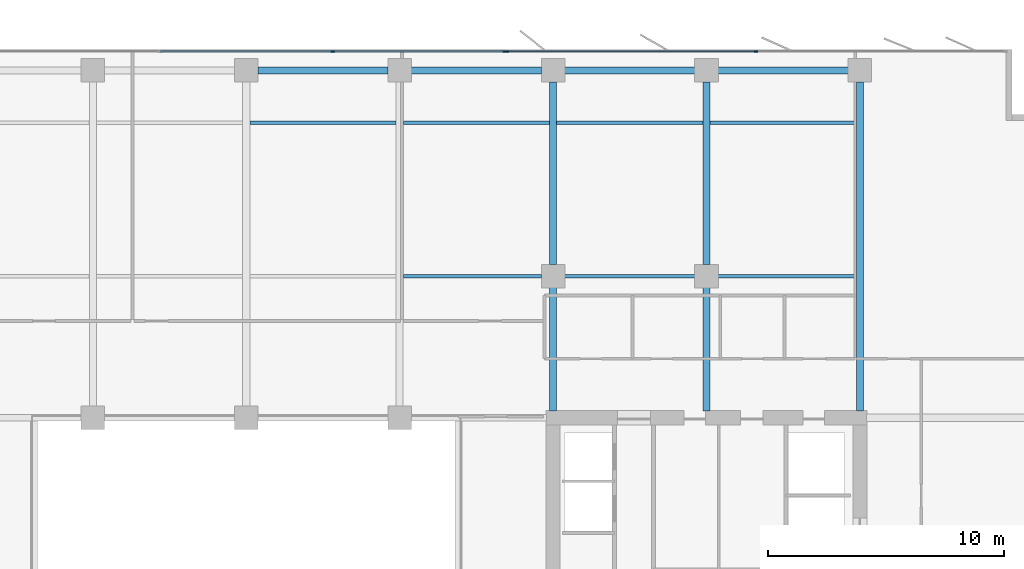
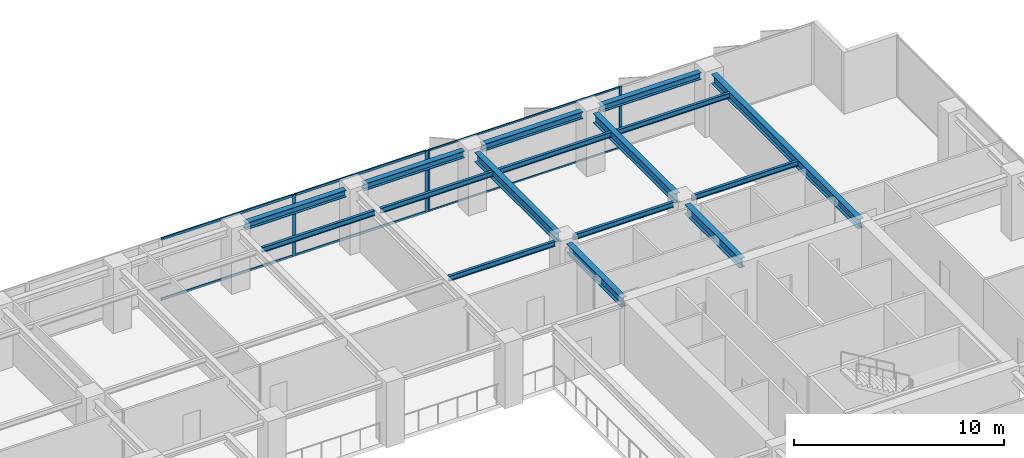
# One storey, part 10 of 22: 16 beams, 10 members, 2 elements without a shape of their own.
"""IFC4 building model written with IfcOpenShell, lengths in metres."""

from ifc_helpers import new_model, si_unit, direction, frame, origin, origin_2d, place, context, subcontext, project, spatial, rectangle, i_section, extrude, material, layer, layer_set, material_profile, profile_set, type_object, element, aggregate, save


model = new_model("IFC4")

# Units and contexts
model_context = context("Model", 3, precision=1e-05, world=origin(), true_north=direction((0.0, 1.0)))
body_context = subcontext(model_context, "Body", "Model", "MODEL_VIEW")
ifc_project = project(units=[si_unit("LENGTHUNIT", "METRE"), si_unit("AREAUNIT", "SQUARE_METRE"), si_unit("VOLUMEUNIT", "CUBIC_METRE"), si_unit("PLANEANGLEUNIT", "RADIAN"), si_unit("MASSUNIT", "GRAM", prefix="KILO")], contexts=[model_context])

# Site, building, storey
site_placement = place(None, origin())
site = spatial("IfcSite", under=ifc_project, at=site_placement, CompositionType="ELEMENT")
building_placement = place(site_placement, origin())
building = spatial("IfcBuilding", under=site, at=building_placement, Name="Putna Gate Headquarters", CompositionType="ELEMENT")
storey_placement = place(building_placement, frame((0.0, 0.0, 167.0)))
storey = spatial("IfcBuildingStorey", under=building, at=storey_placement, Name="L41", CompositionType="ELEMENT", Elevation=167.0)

# Beams
ifc_material_1 = material(Name="Steel S355J2", Category="steel")
ifc_material_profile_1 = material_profile(ifc_material_1, i_section(OverallWidth=0.300048828125, OverallDepth=0.550048828125, WebThickness=0.014892578125, FlangeThickness=0.029052734375, at=origin_2d()), Name="Steel S355J2")
ifc_profile_set_1 = profile_set([ifc_material_profile_1], Name="Steel S355J2")
beam_type_1 = type_object("IfcBeamType", Name="BM-GIRD-Z3-HEB550", PredefinedType="USERDEFINED", material=ifc_profile_set_1)
beam_1_placement = place(storey_placement, frame((52.0, 33.284912109375, 3.297119140625), z_axis=(0.0, 1.0, 0.0), x_axis=(-1.0, 0.0, 0.0)))
element("IfcBeam", 1, at=beam_1_placement, inside=storey, type_object=beam_type_1, Name="L41 North Primary Girder X52-1", ObjectType="GIRDER", PredefinedType="USERDEFINED", context=body_context, shape_type="SweptSolid", body=[
    extrude(i_section(OverallWidth=0.300048828125, OverallDepth=0.550048828125, WebThickness=0.014892578125, FlangeThickness=0.029052734375, at=origin_2d()), origin(), (0.0, 0.0, 1.0), 5.22705078125),
])
beam_2_placement = place(storey_placement, frame((52.0, 39.488037109375, 3.297119140625), z_axis=(0.0, 1.0, 0.0), x_axis=(-1.0, 0.0, 0.0)))
element("IfcBeam", 2, at=beam_2_placement, inside=storey, type_object=beam_type_1, Name="L41 North Primary Girder X52-2", ObjectType="GIRDER", PredefinedType="USERDEFINED", context=body_context, shape_type="SweptSolid", body=[
    extrude(i_section(OverallWidth=0.300048828125, OverallDepth=0.550048828125, WebThickness=0.014892578125, FlangeThickness=0.029052734375, at=origin_2d()), origin(), (0.0, 0.0, 1.0), 7.743896484375),
])
beam_3_placement = place(storey_placement, frame((58.5, 33.284912109375, 3.297119140625), z_axis=(0.0, 1.0, 0.0), x_axis=(-1.0, 0.0, 0.0)))
element("IfcBeam", 3, at=beam_3_placement, inside=storey, type_object=beam_type_1, Name="L41 North Primary Girder X58-1", ObjectType="GIRDER", PredefinedType="USERDEFINED", context=body_context, shape_type="SweptSolid", body=[
    extrude(i_section(OverallWidth=0.300048828125, OverallDepth=0.550048828125, WebThickness=0.014892578125, FlangeThickness=0.029052734375, at=origin_2d()), origin(), (0.0, 0.0, 1.0), 5.22705078125),
])
beam_4_placement = place(storey_placement, frame((58.5, 39.488037109375, 3.297119140625), z_axis=(0.0, 1.0, 0.0), x_axis=(-1.0, 0.0, 0.0)))
element("IfcBeam", 4, at=beam_4_placement, inside=storey, type_object=beam_type_1, Name="L41 North Primary Girder X58-2", ObjectType="GIRDER", PredefinedType="USERDEFINED", context=body_context, shape_type="SweptSolid", body=[
    extrude(i_section(OverallWidth=0.300048828125, OverallDepth=0.550048828125, WebThickness=0.014892578125, FlangeThickness=0.029052734375, at=origin_2d()), origin(), (0.0, 0.0, 1.0), 7.743896484375),
])
beam_5_placement = place(storey_placement, frame((65.0, 33.284912109375, 3.297119140625), z_axis=(0.0, 1.0, 0.0), x_axis=(-1.0, 0.0, 0.0)))
element("IfcBeam", 5, at=beam_5_placement, inside=storey, type_object=beam_type_1, Name="L41 North Primary Girder X65", ObjectType="GIRDER", PredefinedType="USERDEFINED", context=body_context, shape_type="SweptSolid", body=[
    extrude(i_section(OverallWidth=0.300048828125, OverallDepth=0.550048828125, WebThickness=0.014892578125, FlangeThickness=0.029052734375, at=origin_2d()), origin(), (0.0, 0.0, 1.0), 13.947021484375),
])
ifc_material_profile_2 = material_profile(ifc_material_1, i_section(OverallWidth=0.14990234375, OverallDepth=0.300048828125, WebThickness=0.007080078125, FlangeThickness=0.0107421875, at=origin_2d()), Name="Steel S355J2")
ifc_profile_set_2 = profile_set([ifc_material_profile_2], Name="Steel S355J2")
beam_type_2 = type_object("IfcBeamType", Name="BM-SEC-Z3-IPE300", PredefinedType="JOIST", material=ifc_profile_set_2)
beam_6_placement = place(storey_placement, frame((39.154052734375, 45.5, 3.422119140625), z_axis=(1.0, 0.0, 0.0), x_axis=(0.0, 1.0, 0.0)))
element("IfcBeam", 6, at=beam_6_placement, inside=storey, type_object=beam_type_2, Name="L41 North Secondary Beam 5", PredefinedType="JOIST", context=body_context, shape_type="SweptSolid", body=[
    extrude(i_section(OverallWidth=0.14990234375, OverallDepth=0.300048828125, WebThickness=0.007080078125, FlangeThickness=0.0107421875, at=origin_2d()), origin(), (0.0, 0.0, 1.0), 6.19189453125),
])
beam_7_placement = place(storey_placement, frame((45.654052734375, 39.0, 3.422119140625), z_axis=(1.0, 0.0, 0.0), x_axis=(0.0, 1.0, 0.0)))
element("IfcBeam", 7, at=beam_7_placement, inside=storey, type_object=beam_type_2, Name="L41 North Secondary Beam 6", PredefinedType="JOIST", context=body_context, shape_type="SweptSolid", body=[
    extrude(i_section(OverallWidth=0.14990234375, OverallDepth=0.300048828125, WebThickness=0.007080078125, FlangeThickness=0.0107421875, at=origin_2d()), origin(), (0.0, 0.0, 1.0), 5.85791015625),
])
beam_8_placement = place(storey_placement, frame((45.654052734375, 45.5, 3.422119140625), z_axis=(1.0, 0.0, 0.0), x_axis=(0.0, 1.0, 0.0)))
element("IfcBeam", 8, at=beam_8_placement, inside=storey, type_object=beam_type_2, Name="L41 North Secondary Beam 6", PredefinedType="JOIST", context=body_context, shape_type="SweptSolid", body=[
    extrude(i_section(OverallWidth=0.14990234375, OverallDepth=0.300048828125, WebThickness=0.007080078125, FlangeThickness=0.0107421875, at=origin_2d()), origin(), (0.0, 0.0, 1.0), 6.19189453125),
])
beam_9_placement = place(storey_placement, frame((52.488037109375, 39.0, 3.422119140625), z_axis=(1.0, 0.0, 0.0), x_axis=(0.0, 1.0, 0.0)))
element("IfcBeam", 9, at=beam_9_placement, inside=storey, type_object=beam_type_2, Name="L41 North Secondary Beam 7", PredefinedType="JOIST", context=body_context, shape_type="SweptSolid", body=[
    extrude(i_section(OverallWidth=0.14990234375, OverallDepth=0.300048828125, WebThickness=0.007080078125, FlangeThickness=0.0107421875, at=origin_2d()), origin(), (0.0, 0.0, 1.0), 5.52392578125),
])
beam_10_placement = place(storey_placement, frame((52.154052734375, 45.5, 3.422119140625), z_axis=(1.0, 0.0, 0.0), x_axis=(0.0, 1.0, 0.0)))
element("IfcBeam", 10, at=beam_10_placement, inside=storey, type_object=beam_type_2, Name="L41 North Secondary Beam 7", PredefinedType="JOIST", context=body_context, shape_type="SweptSolid", body=[
    extrude(i_section(OverallWidth=0.14990234375, OverallDepth=0.300048828125, WebThickness=0.007080078125, FlangeThickness=0.0107421875, at=origin_2d()), origin(), (0.0, 0.0, 1.0), 6.19189453125),
])
beam_11_placement = place(storey_placement, frame((58.988037109375, 39.0, 3.422119140625), z_axis=(1.0, 0.0, 0.0), x_axis=(0.0, 1.0, 0.0)))
element("IfcBeam", 11, at=beam_11_placement, inside=storey, type_object=beam_type_2, Name="L41 North Secondary Beam 8", PredefinedType="JOIST", context=body_context, shape_type="SweptSolid", body=[
    extrude(i_section(OverallWidth=0.14990234375, OverallDepth=0.300048828125, WebThickness=0.007080078125, FlangeThickness=0.0107421875, at=origin_2d()), origin(), (0.0, 0.0, 1.0), 5.85791015625),
])
beam_12_placement = place(storey_placement, frame((58.654052734375, 45.5, 3.422119140625), z_axis=(1.0, 0.0, 0.0), x_axis=(0.0, 1.0, 0.0)))
element("IfcBeam", 12, at=beam_12_placement, inside=storey, type_object=beam_type_2, Name="L41 North Secondary Beam 8", PredefinedType="JOIST", context=body_context, shape_type="SweptSolid", body=[
    extrude(i_section(OverallWidth=0.14990234375, OverallDepth=0.300048828125, WebThickness=0.007080078125, FlangeThickness=0.0107421875, at=origin_2d()), origin(), (0.0, 0.0, 1.0), 6.19189453125),
])
ifc_material_profile_3 = material_profile(ifc_material_1, i_section(OverallWidth=0.300048828125, OverallDepth=0.39990234375, WebThickness=0.013427734375, FlangeThickness=0.02392578125, at=origin_2d()), Name="Steel S355J2")
ifc_profile_set_3 = profile_set([ifc_material_profile_3], Name="Steel S355J2")
beam_type_3 = type_object("IfcBeamType", Name="BM-SPAN-Z3-HEB400", PredefinedType="SPANDREL", material=ifc_profile_set_3)
for number, where, z_axis, x_axis, name in (
    (13, (39.488037109375, 47.719970703125, 3.3720703125), (1.0, 0.0, 0.0), (0.0, 1.0, 0.0), "L41 N Perimeter Spandrel 5"),
    (14, (45.988037109375, 47.719970703125, 3.3720703125), (1.0, 0.0, 0.0), (0.0, 1.0, 0.0), "L41 N Perimeter Spandrel 6"),
    (15, (52.488037109375, 47.719970703125, 3.3720703125), (1.0, 0.0, 0.0), (0.0, 1.0, 0.0), "L41 N Perimeter Spandrel 7"),
    (16, (58.988037109375, 47.719970703125, 3.3720703125), (1.0, 0.0, 0.0), (0.0, 1.0, 0.0), "L41 N Perimeter Spandrel 8"),
):
    element("IfcBeam", number, at=place(storey_placement, frame(where, z_axis=z_axis, x_axis=x_axis)), inside=storey, type_object=beam_type_3, Name=name, PredefinedType="SPANDREL", context=body_context, shape_type="SweptSolid", body=[
        extrude(i_section(OverallWidth=0.300048828125, OverallDepth=0.39990234375, WebThickness=0.013427734375, FlangeThickness=0.02392578125, at=origin_2d()), origin(), (0.0, 0.0, 1.0), 5.52392578125),
    ])

# Curtain wall, members
ifc_material_2 = material(Name="Anodised bronze aluminium curtain wall", Category="aluminium")
ifc_layer_1 = layer(ifc_material_2, 0.159912109375)
ifc_layer_set_1 = layer_set([ifc_layer_1], Name="Anodised bronze aluminium curtain wall")
curtain_wall_type_1 = type_object("IfcCurtainWallType", Name="CW-SYS-Z3", PredefinedType="USERDEFINED", material=ifc_layer_set_1)
curtain_wall_1_placement = place(storey_placement, origin())
curtain_wall_1 = element("IfcCurtainWall", 17, at=curtain_wall_1_placement, inside=storey, type_object=curtain_wall_type_1, Name="L41 North East Curtain Wall", ObjectType="STICK CURTAIN WALL", PredefinedType="USERDEFINED")
ifc_material_3 = material(Name="Anodised bronze aluminium EN AW-6060", Category="aluminium")
ifc_material_profile_4 = material_profile(ifc_material_3, rectangle(XDim=0.06494140625, YDim=0.159912109375, at=origin_2d()), Name="Anodised bronze aluminium EN AW-6060")
ifc_profile_set_4 = profile_set([ifc_material_profile_4], Name="Anodised bronze aluminium EN AW-6060")
member_type_1 = type_object("IfcMemberType", Name="MULL-CWM-3", PredefinedType="MULLION", material=ifc_profile_set_4)
member_1_placement = place(storey_placement, frame((50.032470703125, 48.52001953125, 0.0), z_axis=(0.0, 0.0, 1.0), x_axis=(0.0, 1.0, 0.0)))
member_1 = element("IfcMember", 18, at=member_1_placement, type_object=member_type_1, Name="CWS-3 mullion 1", PredefinedType="MULLION", context=body_context, shape_type="SweptSolid", body=[
    extrude(rectangle(XDim=0.06494140625, YDim=0.159912109375, at=origin_2d()), origin(), (0.0, 0.0, 1.0), 3.572021484375),
])
member_2_placement = place(storey_placement, frame((60.60009765625, 48.52001953125, 0.0), z_axis=(0.0, 0.0, 1.0), x_axis=(0.0, 1.0, 0.0)))
member_2 = element("IfcMember", 19, at=member_2_placement, type_object=member_type_1, Name="CWS-3 mullion 2", PredefinedType="MULLION", context=body_context, shape_type="SweptSolid", body=[
    extrude(rectangle(XDim=0.06494140625, YDim=0.159912109375, at=origin_2d()), origin(), (0.0, 0.0, 1.0), 3.572021484375),
])

ifc_layer_2 = layer(ifc_material_2, 0.179931640625)
ifc_layer_set_2 = layer_set([ifc_layer_2], Name="Anodised bronze aluminium curtain wall")
curtain_wall_type_2 = type_object("IfcCurtainWallType", Name="CW-SYS-ATR", PredefinedType="USERDEFINED", material=ifc_layer_set_2)
curtain_wall_2_placement = place(storey_placement, origin())
curtain_wall_2 = element("IfcCurtainWall", 20, at=curtain_wall_2_placement, inside=storey, type_object=curtain_wall_type_2, Name="L41 North Atrium Clear Glazing", ObjectType="ATRIUM GLAZING", PredefinedType="USERDEFINED")
ifc_material_profile_5 = material_profile(ifc_material_3, rectangle(XDim=0.070068359375, YDim=0.179931640625, at=origin_2d()), Name="Anodised bronze aluminium EN AW-6060")
ifc_profile_set_5 = profile_set([ifc_material_profile_5], Name="Anodised bronze aluminium EN AW-6060")
member_type_2 = type_object("IfcMemberType", Name="MULL-CWM-AT", PredefinedType="MULLION", material=ifc_profile_set_5)
member_3_placement = place(storey_placement, frame((42.666748046875, 48.52001953125, 0.0), z_axis=(0.0, 0.0, 1.0), x_axis=(0.0, 1.0, 0.0)))
member_3 = element("IfcMember", 21, at=member_3_placement, type_object=member_type_2, Name="CWS-AT mullion 3", PredefinedType="MULLION", context=body_context, shape_type="SweptSolid", body=[
    extrude(rectangle(XDim=0.070068359375, YDim=0.179931640625, at=origin_2d()), origin(), (0.0, 0.0, 1.0), 3.572021484375),
])
member_4_placement = place(storey_placement, frame((49.965087890625, 48.52001953125, 0.0), z_axis=(0.0, 0.0, 1.0), x_axis=(0.0, 1.0, 0.0)))
member_4 = element("IfcMember", 22, at=member_4_placement, type_object=member_type_2, Name="CWS-AT mullion 4", PredefinedType="MULLION", context=body_context, shape_type="SweptSolid", body=[
    extrude(rectangle(XDim=0.070068359375, YDim=0.179931640625, at=origin_2d()), origin(), (0.0, 0.0, 1.0), 3.572021484375),
])

# Member
ifc_material_profile_6 = material_profile(ifc_material_3, rectangle(XDim=0.06005859375, YDim=0.10009765625, at=origin_2d()), Name="Anodised bronze aluminium EN AW-6060")
ifc_profile_set_6 = profile_set([ifc_material_profile_6], Name="Anodised bronze aluminium EN AW-6060")
member_type_3 = type_object("IfcMemberType", Name="TRAN-CWT-3", PredefinedType="USERDEFINED", material=ifc_profile_set_6)
member_5_placement = place(storey_placement, frame((50.06494140625, 48.52001953125, 0.030029296875), z_axis=(1.0, 0.0, 0.0), x_axis=(0.0, 1.0, 0.0)))
member_5 = element("IfcMember", 23, at=member_5_placement, type_object=member_type_3, Name="CWS-3 transom 1.1", ObjectType="TRANSOM", PredefinedType="USERDEFINED", context=body_context, shape_type="SweptSolid", body=[
    extrude(rectangle(XDim=0.06005859375, YDim=0.10009765625, at=origin_2d()), origin(), (0.0, 0.0, 1.0), 10.50244140625),
])

member_6_placement = place(storey_placement, frame((50.06494140625, 48.52001953125, 3.5419921875), z_axis=(1.0, 0.0, 0.0), x_axis=(0.0, 1.0, 0.0)))
member_6 = element("IfcMember", 24, at=member_6_placement, type_object=member_type_3, Name="CWS-3 transom 1.2", ObjectType="TRANSOM", PredefinedType="USERDEFINED", context=body_context, shape_type="SweptSolid", body=[
    extrude(rectangle(XDim=0.06005859375, YDim=0.10009765625, at=origin_2d()), origin(), (0.0, 0.0, 1.0), 10.50244140625),
])

aggregate(curtain_wall_1, [member_1, member_2, member_5, member_6])

ifc_material_profile_7 = material_profile(ifc_material_3, rectangle(XDim=0.070068359375, YDim=0.139892578125, at=origin_2d()), Name="Anodised bronze aluminium EN AW-6060")
ifc_profile_set_7 = profile_set([ifc_material_profile_7], Name="Anodised bronze aluminium EN AW-6060")
member_type_4 = type_object("IfcMemberType", Name="TRAN-CWT-AT", PredefinedType="USERDEFINED", material=ifc_profile_set_7)
member_7_placement = place(storey_placement, frame((35.368408203125, 48.52001953125, 0.034912109375), z_axis=(1.0, 0.0, 0.0), x_axis=(0.0, 1.0, 0.0)))
member_7 = element("IfcMember", 25, at=member_7_placement, type_object=member_type_4, Name="CWS-AT transom 2.1", ObjectType="TRANSOM", PredefinedType="USERDEFINED", context=body_context, shape_type="SweptSolid", body=[
    extrude(rectangle(XDim=0.070068359375, YDim=0.139892578125, at=origin_2d()), origin(), (0.0, 0.0, 1.0), 7.26318359375),
])

member_8_placement = place(storey_placement, frame((35.368408203125, 48.52001953125, 3.537109375), z_axis=(1.0, 0.0, 0.0), x_axis=(0.0, 1.0, 0.0)))
member_8 = element("IfcMember", 26, at=member_8_placement, type_object=member_type_4, Name="CWS-AT transom 2.2", ObjectType="TRANSOM", PredefinedType="USERDEFINED", context=body_context, shape_type="SweptSolid", body=[
    extrude(rectangle(XDim=0.070068359375, YDim=0.139892578125, at=origin_2d()), origin(), (0.0, 0.0, 1.0), 7.26318359375),
])

member_9_placement = place(storey_placement, frame((42.70166015625, 48.52001953125, 0.034912109375), z_axis=(1.0, 0.0, 0.0), x_axis=(0.0, 1.0, 0.0)))
member_9 = element("IfcMember", 27, at=member_9_placement, type_object=member_type_4, Name="CWS-AT transom 3.1", ObjectType="TRANSOM", PredefinedType="USERDEFINED", context=body_context, shape_type="SweptSolid", body=[
    extrude(rectangle(XDim=0.070068359375, YDim=0.139892578125, at=origin_2d()), origin(), (0.0, 0.0, 1.0), 7.228271484375),
])

member_10_placement = place(storey_placement, frame((42.70166015625, 48.52001953125, 3.537109375), z_axis=(1.0, 0.0, 0.0), x_axis=(0.0, 1.0, 0.0)))
member_10 = element("IfcMember", 28, at=member_10_placement, type_object=member_type_4, Name="CWS-AT transom 3.2", ObjectType="TRANSOM", PredefinedType="USERDEFINED", context=body_context, shape_type="SweptSolid", body=[
    extrude(rectangle(XDim=0.070068359375, YDim=0.139892578125, at=origin_2d()), origin(), (0.0, 0.0, 1.0), 7.228271484375),
])

aggregate(curtain_wall_2, [member_3, member_4, member_7, member_8, member_9, member_10])

save(model, "model.ifc")
